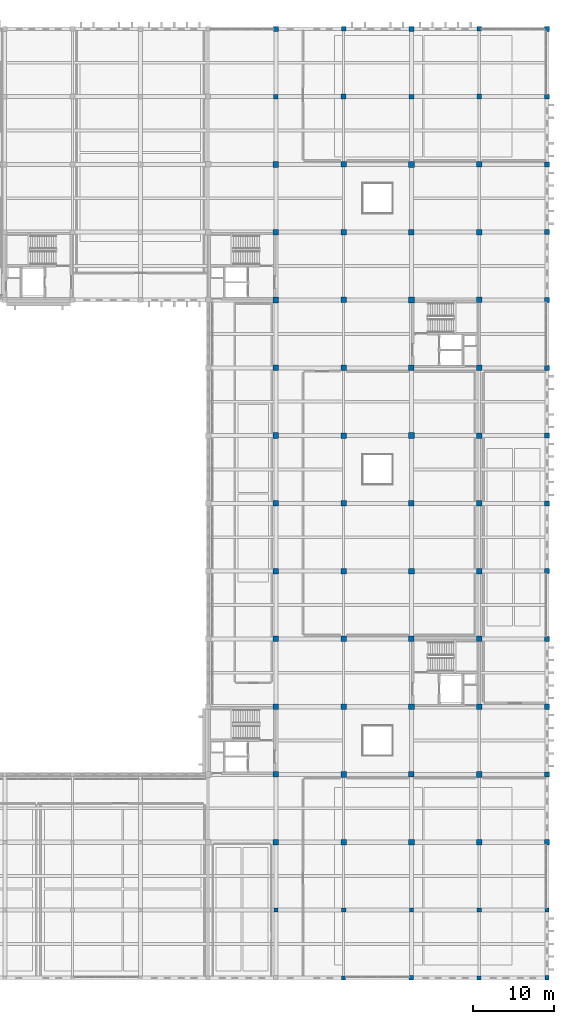
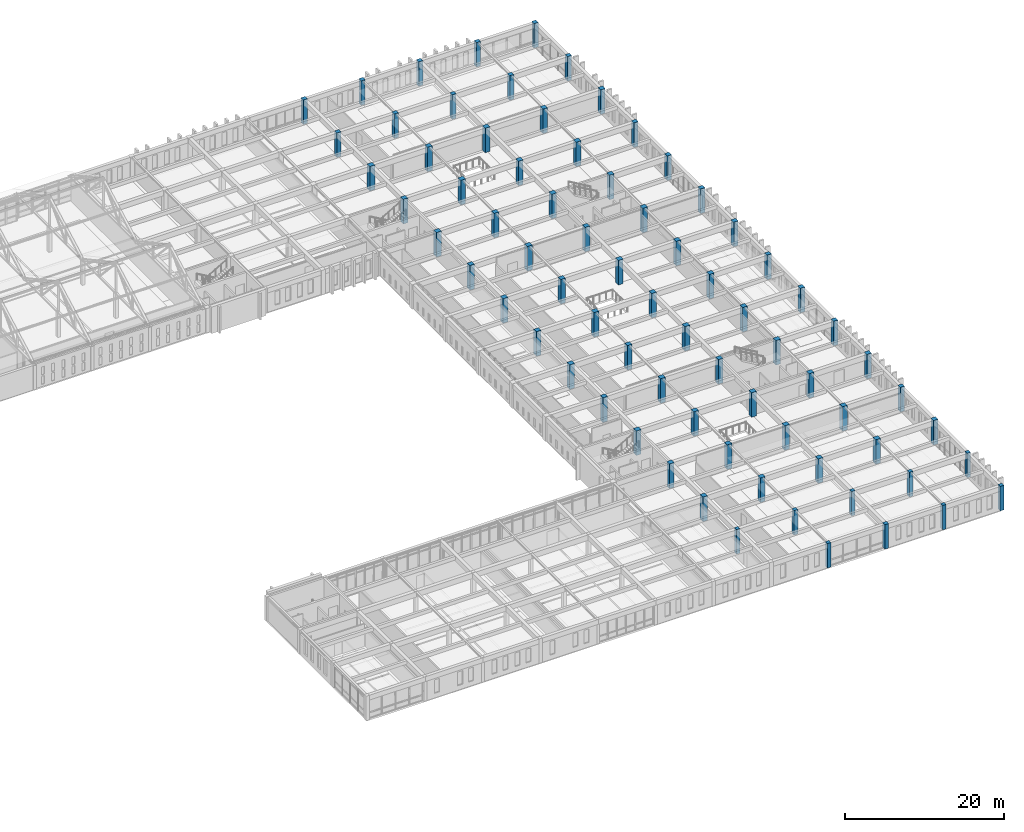
# One storey, part 5 of 110: 74 columns.
"""IFC4 building model written with IfcOpenShell, lengths in metres."""

from ifc_helpers import new_model, si_unit, direction, frame, origin, origin_2d, place, context, subcontext, project, spatial, rectangle, extrude, material, material_profile, profile_set, type_object, element, save


model = new_model("IFC4")

# Units and contexts
model_context = context("Model", 3, precision=1e-05, world=origin(), true_north=direction((0.0, 1.0)))
body_context = subcontext(model_context, "Body", "Model", "MODEL_VIEW")
ifc_project = project(units=[si_unit("LENGTHUNIT", "METRE"), si_unit("AREAUNIT", "SQUARE_METRE"), si_unit("VOLUMEUNIT", "CUBIC_METRE"), si_unit("PLANEANGLEUNIT", "RADIAN"), si_unit("MASSUNIT", "GRAM", prefix="KILO")], contexts=[model_context])

# Site, building, storey
site_placement = place(None, origin())
site = spatial("IfcSite", under=ifc_project, at=site_placement, CompositionType="ELEMENT")
building_placement = place(site_placement, origin())
building = spatial("IfcBuilding", under=site, at=building_placement, Name="Kveldsbrygga Polytechnic", CompositionType="ELEMENT")
storey_placement = place(building_placement, frame((0.0, 0.0, 9.860107421875)))
storey = spatial("IfcBuildingStorey", under=building, at=storey_placement, Name="L02", CompositionType="ELEMENT", Elevation=9.860107421875)

# Columns
ifc_material = material(Name="Concrete C45/55", Category="concrete")
ifc_material_profile_1 = material_profile(ifc_material, rectangle(XDim=0.5, YDim=0.5, at=origin_2d()), Name="RC 500x500")
ifc_profile_set_1 = profile_set([ifc_material_profile_1], Name="Concrete C45/55")
column_type_1 = type_object("IfcColumnType", Name="COL-RC-500", PredefinedType="COLUMN", material=ifc_profile_set_1)
for number, where, z_axis, x_axis, name in (
    (1, (142.800048828125, 0.0, 0.0), (0.0, 0.0, 1.0), (1.0, 0.0, 0.0), "Column COL-L02-17-00"),
    (2, (159.60009765625, 0.0, 0.0), (0.0, 0.0, 1.0), (1.0, 0.0, 0.0), "Column COL-L02-19-00"),
):
    element("IfcColumn", number, at=place(storey_placement, frame(where, z_axis=z_axis, x_axis=x_axis)), inside=storey, type_object=column_type_1, Name=name, PredefinedType="COLUMN", context=body_context, shape_type="SweptSolid", body=[
        extrude(rectangle(XDim=0.5, YDim=0.5, at=origin_2d()), origin(), (0.0, 0.0, 1.0), 3.77978515625),
    ])
ifc_material_profile_2 = material_profile(ifc_material, rectangle(XDim=0.52001953125, YDim=0.52001953125, at=origin_2d()), Name="RC 520x520")
ifc_profile_set_2 = profile_set([ifc_material_profile_2], Name="Concrete C45/55")
column_type_2 = type_object("IfcColumnType", Name="COL-RC-520", PredefinedType="COLUMN", material=ifc_profile_set_2)
for number, where, z_axis, x_axis, name in (
    (3, (134.39990234375, 8.39990234375, 0.0), (0.0, 0.0, 1.0), (1.0, 0.0, 0.0), "Column COL-L02-16-01"),
    (4, (151.199951171875, 8.39990234375, 0.0), (0.0, 0.0, 1.0), (1.0, 0.0, 0.0), "Column COL-L02-18-01"),
    (5, (168.0, 8.39990234375, 0.0), (0.0, 0.0, 1.0), (1.0, 0.0, 0.0), "Column COL-L02-20-01"),
):
    element("IfcColumn", number, at=place(storey_placement, frame(where, z_axis=z_axis, x_axis=x_axis)), inside=storey, type_object=column_type_2, Name=name, PredefinedType="COLUMN", context=body_context, shape_type="SweptSolid", body=[
        extrude(rectangle(XDim=0.52001953125, YDim=0.52001953125, at=origin_2d()), origin(), (0.0, 0.0, 1.0), 3.77978515625),
    ])
ifc_material_profile_3 = material_profile(ifc_material, rectangle(XDim=0.550048828125, YDim=0.550048828125, at=origin_2d()), Name="RC 550x550")
ifc_profile_set_3 = profile_set([ifc_material_profile_3], Name="Concrete C45/55")
column_type_3 = type_object("IfcColumnType", Name="COL-RC-550", PredefinedType="COLUMN", material=ifc_profile_set_3)
for number, where, z_axis, x_axis, name in (
    (6, (142.800048828125, 8.39990234375, 0.0), (0.0, 0.0, 1.0), (1.0, 0.0, 0.0), "Column COL-L02-17-01"),
    (7, (151.199951171875, 0.0, 0.0), (0.0, 0.0, 1.0), (1.0, 0.0, 0.0), "Column COL-L02-18-00"),
    (8, (159.60009765625, 8.39990234375, 0.0), (0.0, 0.0, 1.0), (1.0, 0.0, 0.0), "Column COL-L02-19-01"),
    (9, (168.0, 0.0, 0.0), (0.0, 0.0, 1.0), (1.0, 0.0, 0.0), "Column COL-L02-20-00"),
):
    element("IfcColumn", number, at=place(storey_placement, frame(where, z_axis=z_axis, x_axis=x_axis)), inside=storey, type_object=column_type_3, Name=name, PredefinedType="COLUMN", context=body_context, shape_type="SweptSolid", body=[
        extrude(rectangle(XDim=0.550048828125, YDim=0.550048828125, at=origin_2d()), origin(), (0.0, 0.0, 1.0), 3.77978515625),
    ])
ifc_material_profile_4 = material_profile(ifc_material, rectangle(XDim=0.580078125, YDim=0.580078125, at=origin_2d()), Name="RC 580x580")
ifc_profile_set_4 = profile_set([ifc_material_profile_4], Name="Concrete C45/55")
column_type_4 = type_object("IfcColumnType", Name="COL-RC-580", PredefinedType="COLUMN", material=ifc_profile_set_4)
for number, where, z_axis, x_axis, name in (
    (10, (134.39990234375, 109.199951171875, 0.0), (0.0, 0.0, 1.0), (1.0, 0.0, 0.0), "Column COL-L02-16-13"),
    (11, (142.800048828125, 117.60009765625, 0.0), (0.0, 0.0, 1.0), (1.0, 0.0, 0.0), "Column COL-L02-17-14"),
    (12, (151.199951171875, 109.199951171875, 0.0), (0.0, 0.0, 1.0), (1.0, 0.0, 0.0), "Column COL-L02-18-13"),
    (13, (159.60009765625, 117.60009765625, 0.0), (0.0, 0.0, 1.0), (1.0, 0.0, 0.0), "Column COL-L02-19-14"),
    (14, (168.0, 109.199951171875, 0.0), (0.0, 0.0, 1.0), (1.0, 0.0, 0.0), "Column COL-L02-20-13"),
):
    element("IfcColumn", number, at=place(storey_placement, frame(where, z_axis=z_axis, x_axis=x_axis)), inside=storey, type_object=column_type_4, Name=name, PredefinedType="COLUMN", context=body_context, shape_type="SweptSolid", body=[
        extrude(rectangle(XDim=0.580078125, YDim=0.580078125, at=origin_2d()), origin(), (0.0, 0.0, 1.0), 3.77978515625),
    ])
ifc_material_profile_5 = material_profile(ifc_material, rectangle(XDim=0.60009765625, YDim=0.60009765625, at=origin_2d()), Name="RC 600x600")
ifc_profile_set_5 = profile_set([ifc_material_profile_5], Name="Concrete C45/55")
column_type_5 = type_object("IfcColumnType", Name="COL-RC-600", PredefinedType="COLUMN", material=ifc_profile_set_5)
for number, where, z_axis, x_axis, name in (
    (15, (134.39990234375, 117.60009765625, 0.0), (0.0, 0.0, 1.0), (1.0, 0.0, 0.0), "Column COL-L02-16-14"),
    (16, (142.800048828125, 109.199951171875, 0.0), (0.0, 0.0, 1.0), (1.0, 0.0, 0.0), "Column COL-L02-17-13"),
    (17, (151.199951171875, 117.60009765625, 0.0), (0.0, 0.0, 1.0), (1.0, 0.0, 0.0), "Column COL-L02-18-14"),
    (18, (159.60009765625, 109.199951171875, 0.0), (0.0, 0.0, 1.0), (1.0, 0.0, 0.0), "Column COL-L02-19-13"),
    (19, (168.0, 117.60009765625, 0.0), (0.0, 0.0, 1.0), (1.0, 0.0, 0.0), "Column COL-L02-20-14"),
):
    element("IfcColumn", number, at=place(storey_placement, frame(where, z_axis=z_axis, x_axis=x_axis)), inside=storey, type_object=column_type_5, Name=name, PredefinedType="COLUMN", context=body_context, shape_type="SweptSolid", body=[
        extrude(rectangle(XDim=0.60009765625, YDim=0.60009765625, at=origin_2d()), origin(), (0.0, 0.0, 1.0), 3.77978515625),
    ])
ifc_material_profile_6 = material_profile(ifc_material, rectangle(XDim=0.6201171875, YDim=0.6201171875, at=origin_2d()), Name="RC 620x620")
ifc_profile_set_6 = profile_set([ifc_material_profile_6], Name="Concrete C45/55")
column_type_6 = type_object("IfcColumnType", Name="COL-RC-620", PredefinedType="COLUMN", material=ifc_profile_set_6)
for number, where, z_axis, x_axis, name in (
    (20, (168.0, 25.199951171875, 0.0), (0.0, 0.0, 1.0), (1.0, 0.0, 0.0), "Column COL-L02-20-03"),
    (21, (168.0, 42.0, 0.0), (0.0, 0.0, 1.0), (1.0, 0.0, 0.0), "Column COL-L02-20-05"),
    (22, (168.0, 58.800048828125, 0.0), (0.0, 0.0, 1.0), (1.0, 0.0, 0.0), "Column COL-L02-20-07"),
    (23, (168.0, 75.60009765625, 0.0), (0.0, 0.0, 1.0), (1.0, 0.0, 0.0), "Column COL-L02-20-09"),
    (24, (168.0, 92.39990234375, 0.0), (0.0, 0.0, 1.0), (1.0, 0.0, 0.0), "Column COL-L02-20-11"),
):
    element("IfcColumn", number, at=place(storey_placement, frame(where, z_axis=z_axis, x_axis=x_axis)), inside=storey, type_object=column_type_6, Name=name, PredefinedType="COLUMN", context=body_context, shape_type="SweptSolid", body=[
        extrude(rectangle(XDim=0.6201171875, YDim=0.6201171875, at=origin_2d()), origin(), (0.0, 0.0, 1.0), 3.77978515625),
    ])
ifc_material_profile_7 = material_profile(ifc_material, rectangle(XDim=0.64990234375, YDim=0.64990234375, at=origin_2d()), Name="RC 650x650")
ifc_profile_set_7 = profile_set([ifc_material_profile_7], Name="Concrete C45/55")
column_type_7 = type_object("IfcColumnType", Name="COL-RC-650", PredefinedType="COLUMN", material=ifc_profile_set_7)
for number, where, z_axis, x_axis, name in (
    (25, (168.0, 16.800048828125, 0.0), (0.0, 0.0, 1.0), (1.0, 0.0, 0.0), "Column COL-L02-20-02"),
    (26, (168.0, 33.60009765625, 0.0), (0.0, 0.0, 1.0), (1.0, 0.0, 0.0), "Column COL-L02-20-04"),
    (27, (168.0, 50.39990234375, 0.0), (0.0, 0.0, 1.0), (1.0, 0.0, 0.0), "Column COL-L02-20-06"),
    (28, (168.0, 67.199951171875, 0.0), (0.0, 0.0, 1.0), (1.0, 0.0, 0.0), "Column COL-L02-20-08"),
    (29, (168.0, 84.0, 0.0), (0.0, 0.0, 1.0), (1.0, 0.0, 0.0), "Column COL-L02-20-10"),
    (30, (168.0, 100.800048828125, 0.0), (0.0, 0.0, 1.0), (1.0, 0.0, 0.0), "Column COL-L02-20-12"),
):
    element("IfcColumn", number, at=place(storey_placement, frame(where, z_axis=z_axis, x_axis=x_axis)), inside=storey, type_object=column_type_7, Name=name, PredefinedType="COLUMN", context=body_context, shape_type="SweptSolid", body=[
        extrude(rectangle(XDim=0.64990234375, YDim=0.64990234375, at=origin_2d()), origin(), (0.0, 0.0, 1.0), 3.77978515625),
    ])
ifc_material_profile_8 = material_profile(ifc_material, rectangle(XDim=0.679931640625, YDim=0.679931640625, at=origin_2d()), Name="RC 680x680")
ifc_profile_set_8 = profile_set([ifc_material_profile_8], Name="Concrete C45/55")
column_type_8 = type_object("IfcColumnType", Name="COL-RC-680", PredefinedType="COLUMN", material=ifc_profile_set_8)
for number, where, z_axis, x_axis, name in (
    (31, (134.39990234375, 25.199951171875, 0.0), (0.0, 0.0, 1.0), (1.0, 0.0, 0.0), "Column COL-L02-16-03"),
    (32, (134.39990234375, 42.0, 0.0), (0.0, 0.0, 1.0), (1.0, 0.0, 0.0), "Column COL-L02-16-05"),
    (33, (134.39990234375, 58.800048828125, 0.0), (0.0, 0.0, 1.0), (1.0, 0.0, 0.0), "Column COL-L02-16-07"),
    (34, (134.39990234375, 75.60009765625, 0.0), (0.0, 0.0, 1.0), (1.0, 0.0, 0.0), "Column COL-L02-16-09"),
    (35, (134.39990234375, 92.39990234375, 0.0), (0.0, 0.0, 1.0), (1.0, 0.0, 0.0), "Column COL-L02-16-11"),
    (36, (142.800048828125, 16.800048828125, 0.0), (0.0, 0.0, 1.0), (1.0, 0.0, 0.0), "Column COL-L02-17-02"),
    (37, (142.800048828125, 33.60009765625, 0.0), (0.0, 0.0, 1.0), (1.0, 0.0, 0.0), "Column COL-L02-17-04"),
    (38, (142.800048828125, 50.39990234375, 0.0), (0.0, 0.0, 1.0), (1.0, 0.0, 0.0), "Column COL-L02-17-06"),
    (39, (142.800048828125, 67.199951171875, 0.0), (0.0, 0.0, 1.0), (1.0, 0.0, 0.0), "Column COL-L02-17-08"),
    (40, (142.800048828125, 84.0, 0.0), (0.0, 0.0, 1.0), (1.0, 0.0, 0.0), "Column COL-L02-17-10"),
    (41, (142.800048828125, 100.800048828125, 0.0), (0.0, 0.0, 1.0), (1.0, 0.0, 0.0), "Column COL-L02-17-12"),
    (42, (151.199951171875, 25.199951171875, 0.0), (0.0, 0.0, 1.0), (1.0, 0.0, 0.0), "Column COL-L02-18-03"),
    (43, (151.199951171875, 42.0, 0.0), (0.0, 0.0, 1.0), (1.0, 0.0, 0.0), "Column COL-L02-18-05"),
    (44, (151.199951171875, 58.800048828125, 0.0), (0.0, 0.0, 1.0), (1.0, 0.0, 0.0), "Column COL-L02-18-07"),
    (45, (151.199951171875, 75.60009765625, 0.0), (0.0, 0.0, 1.0), (1.0, 0.0, 0.0), "Column COL-L02-18-09"),
    (46, (151.199951171875, 92.39990234375, 0.0), (0.0, 0.0, 1.0), (1.0, 0.0, 0.0), "Column COL-L02-18-11"),
    (47, (159.60009765625, 16.800048828125, 0.0), (0.0, 0.0, 1.0), (1.0, 0.0, 0.0), "Column COL-L02-19-02"),
    (48, (159.60009765625, 33.60009765625, 0.0), (0.0, 0.0, 1.0), (1.0, 0.0, 0.0), "Column COL-L02-19-04"),
    (49, (159.60009765625, 50.39990234375, 0.0), (0.0, 0.0, 1.0), (1.0, 0.0, 0.0), "Column COL-L02-19-06"),
    (50, (159.60009765625, 67.199951171875, 0.0), (0.0, 0.0, 1.0), (1.0, 0.0, 0.0), "Column COL-L02-19-08"),
    (51, (159.60009765625, 84.0, 0.0), (0.0, 0.0, 1.0), (1.0, 0.0, 0.0), "Column COL-L02-19-10"),
    (52, (159.60009765625, 100.800048828125, 0.0), (0.0, 0.0, 1.0), (1.0, 0.0, 0.0), "Column COL-L02-19-12"),
):
    element("IfcColumn", number, at=place(storey_placement, frame(where, z_axis=z_axis, x_axis=x_axis)), inside=storey, type_object=column_type_8, Name=name, PredefinedType="COLUMN", context=body_context, shape_type="SweptSolid", body=[
        extrude(rectangle(XDim=0.679931640625, YDim=0.679931640625, at=origin_2d()), origin(), (0.0, 0.0, 1.0), 3.77978515625),
    ])
ifc_material_profile_9 = material_profile(ifc_material, rectangle(XDim=0.699951171875, YDim=0.699951171875, at=origin_2d()), Name="RC 700x700")
ifc_profile_set_9 = profile_set([ifc_material_profile_9], Name="Concrete C45/55")
column_type_9 = type_object("IfcColumnType", Name="COL-RC-700", PredefinedType="COLUMN", material=ifc_profile_set_9)
for number, where, z_axis, x_axis, name in (
    (53, (134.39990234375, 16.800048828125, 0.0), (0.0, 0.0, 1.0), (1.0, 0.0, 0.0), "Column COL-L02-16-02"),
    (54, (134.39990234375, 33.60009765625, 0.0), (0.0, 0.0, 1.0), (1.0, 0.0, 0.0), "Column COL-L02-16-04"),
    (55, (134.39990234375, 50.39990234375, 0.0), (0.0, 0.0, 1.0), (1.0, 0.0, 0.0), "Column COL-L02-16-06"),
    (56, (134.39990234375, 67.199951171875, 0.0), (0.0, 0.0, 1.0), (1.0, 0.0, 0.0), "Column COL-L02-16-08"),
    (57, (134.39990234375, 84.0, 0.0), (0.0, 0.0, 1.0), (1.0, 0.0, 0.0), "Column COL-L02-16-10"),
    (58, (134.39990234375, 100.800048828125, 0.0), (0.0, 0.0, 1.0), (1.0, 0.0, 0.0), "Column COL-L02-16-12"),
    (59, (142.800048828125, 25.199951171875, 0.0), (0.0, 0.0, 1.0), (1.0, 0.0, 0.0), "Column COL-L02-17-03"),
    (60, (142.800048828125, 42.0, 0.0), (0.0, 0.0, 1.0), (1.0, 0.0, 0.0), "Column COL-L02-17-05"),
    (61, (142.800048828125, 58.800048828125, 0.0), (0.0, 0.0, 1.0), (1.0, 0.0, 0.0), "Column COL-L02-17-07"),
    (62, (142.800048828125, 75.60009765625, 0.0), (0.0, 0.0, 1.0), (1.0, 0.0, 0.0), "Column COL-L02-17-09"),
    (63, (142.800048828125, 92.39990234375, 0.0), (0.0, 0.0, 1.0), (1.0, 0.0, 0.0), "Column COL-L02-17-11"),
    (64, (151.199951171875, 16.800048828125, 0.0), (0.0, 0.0, 1.0), (1.0, 0.0, 0.0), "Column COL-L02-18-02"),
    (65, (151.199951171875, 33.60009765625, 0.0), (0.0, 0.0, 1.0), (1.0, 0.0, 0.0), "Column COL-L02-18-04"),
    (66, (151.199951171875, 50.39990234375, 0.0), (0.0, 0.0, 1.0), (1.0, 0.0, 0.0), "Column COL-L02-18-06"),
    (67, (151.199951171875, 67.199951171875, 0.0), (0.0, 0.0, 1.0), (1.0, 0.0, 0.0), "Column COL-L02-18-08"),
    (68, (151.199951171875, 84.0, 0.0), (0.0, 0.0, 1.0), (1.0, 0.0, 0.0), "Column COL-L02-18-10"),
    (69, (151.199951171875, 100.800048828125, 0.0), (0.0, 0.0, 1.0), (1.0, 0.0, 0.0), "Column COL-L02-18-12"),
    (70, (159.60009765625, 25.199951171875, 0.0), (0.0, 0.0, 1.0), (1.0, 0.0, 0.0), "Column COL-L02-19-03"),
    (71, (159.60009765625, 42.0, 0.0), (0.0, 0.0, 1.0), (1.0, 0.0, 0.0), "Column COL-L02-19-05"),
    (72, (159.60009765625, 58.800048828125, 0.0), (0.0, 0.0, 1.0), (1.0, 0.0, 0.0), "Column COL-L02-19-07"),
    (73, (159.60009765625, 75.60009765625, 0.0), (0.0, 0.0, 1.0), (1.0, 0.0, 0.0), "Column COL-L02-19-09"),
    (74, (159.60009765625, 92.39990234375, 0.0), (0.0, 0.0, 1.0), (1.0, 0.0, 0.0), "Column COL-L02-19-11"),
):
    element("IfcColumn", number, at=place(storey_placement, frame(where, z_axis=z_axis, x_axis=x_axis)), inside=storey, type_object=column_type_9, Name=name, PredefinedType="COLUMN", context=body_context, shape_type="SweptSolid", body=[
        extrude(rectangle(XDim=0.699951171875, YDim=0.699951171875, at=origin_2d()), origin(), (0.0, 0.0, 1.0), 3.77978515625),
    ])

save(model, "model.ifc")
